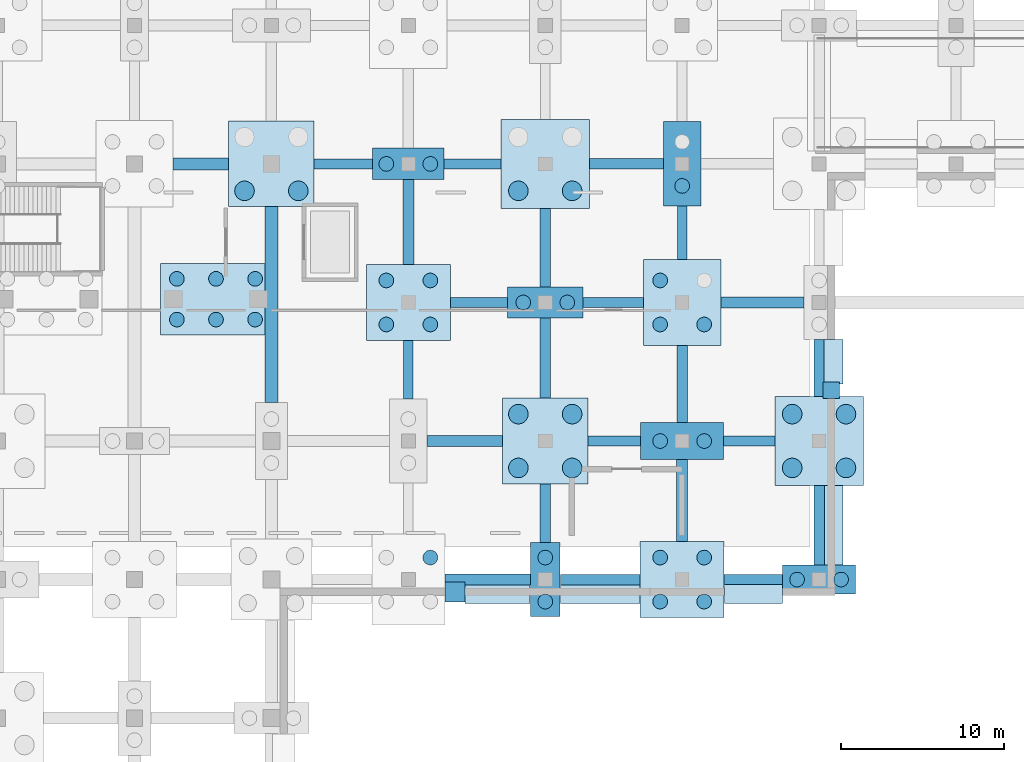
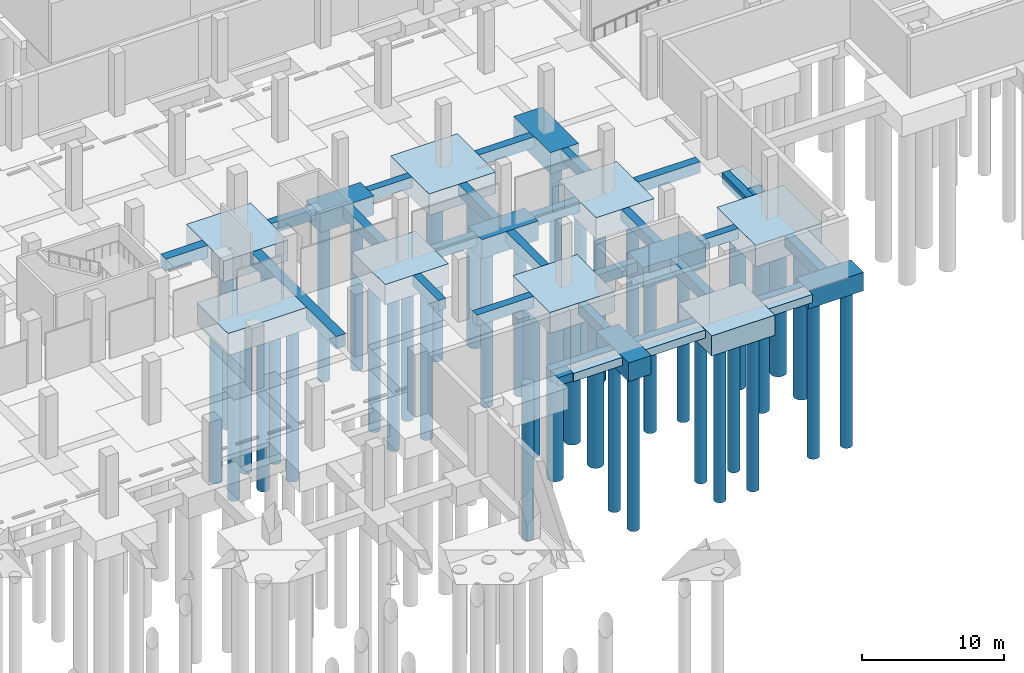
# One storey, part 15 of 34: 45 footings, 41 piles.
"""IFC4 building model written with IfcOpenShell, lengths in metres."""

import ifcopenshell
import ifcopenshell.guid

model = None  # the IFC model being written
_history = None  # IfcOwnerHistory: only IFC2X3 demands one
_inside = {}  # id of a spatial element -> (the spatial element, [elements in it])
_under = {}  # id of a project, library or spatial element -> (it, [spatial elements below it])
_declared = {}  # id of a project -> (the project, [libraries it declares])
_typed = {}  # id of a type object -> (the type object, [elements of that type])
_made_of = {}  # id of a material, layer set ... -> (it, [elements and type objects made of it])


def new_model(schema):
    """Start an empty IFC model of exactly this schema.

    Asked for "IFC4X3", IfcOpenShell would pick the latest addendum, in which some entities
    have other attributes; the version numbers below select the first issue.
    IFC2X3 requires an IfcOwnerHistory on every rooted entity: one is made here for all.
    """
    global model, _history
    if schema == "IFC4X3":
        model = ifcopenshell.file(schema_version=(4, 3, 0, 0))
    else:
        model = ifcopenshell.file(schema=schema)
    _inside.clear()
    _under.clear()
    _declared.clear()
    _typed.clear()
    _made_of.clear()
    _history = None
    if model.schema == "IFC2X3":
        org = make("IfcOrganization", Name="unknown")
        user = make(
            "IfcPersonAndOrganization",
            ThePerson=make("IfcPerson", FamilyName="unknown"),
            TheOrganization=org,
        )
        app = make(
            "IfcApplication",
            ApplicationDeveloper=org,
            Version="unknown",
            ApplicationFullName="unknown",
            ApplicationIdentifier="unknown",
        )
        _history = make(
            "IfcOwnerHistory",
            OwningUser=user,
            OwningApplication=app,
            ChangeAction="ADDED",
            CreationDate=0,
        )
    return model


def make(cls, **values):
    """One entity of the class cls with the attributes given. An attribute that is None is left unset."""
    return model.create_entity(
        cls, **{name: value for name, value in values.items() if value is not None}
    )


def rooted(cls, **values):
    """An entity with a GlobalId (a new one), such as an element, a storey or a relation."""
    return make(cls, GlobalId=ifcopenshell.guid.new(), OwnerHistory=_history, **values)


def si_unit(unit_type, name, prefix=None):
    """IfcSIUnit, for example si_unit("LENGTHUNIT", "METRE", prefix="MILLI")."""
    return make("IfcSIUnit", UnitType=unit_type, Prefix=prefix, Name=name)


def assignment(units):
    """IfcUnitAssignment: the units of a project."""
    return None if units is None else make("IfcUnitAssignment", Units=units)


def point(xyz):
    """IfcCartesianPoint."""
    return None if xyz is None else make("IfcCartesianPoint", Coordinates=xyz)


def direction(xyz):
    """IfcDirection."""
    return None if xyz is None else make("IfcDirection", DirectionRatios=xyz)


def frame(location, z_axis=None, x_axis=None):
    """IfcAxis2Placement3D, a coordinate frame: its origin and axes. An axis left out is left unset."""
    return make(
        "IfcAxis2Placement3D",
        Location=point(location),
        Axis=direction(z_axis),
        RefDirection=direction(x_axis),
    )


def frame_2d(location, x_axis=None):
    """IfcAxis2Placement2D, a coordinate frame in the plane: its origin and x axis."""
    return make(
        "IfcAxis2Placement2D", Location=point(location), RefDirection=direction(x_axis)
    )


def origin():
    """The frame at (0, 0, 0) with its axes left unset."""
    return frame((0.0, 0.0, 0.0))


def origin_2d():
    """The frame at (0, 0) in the plane with its x axis left unset."""
    return frame_2d((0.0, 0.0))


def place(relative_to, where):
    """IfcLocalPlacement: puts the frame where relative to a parent placement (None: the world)."""
    return make(
        "IfcLocalPlacement", PlacementRelTo=relative_to, RelativePlacement=where
    )


def context(
    kind, dimensions, precision=None, world=None, true_north=None, identifier=None
):
    """IfcGeometricRepresentationContext, for example the 3D "Model" context."""
    return make(
        "IfcGeometricRepresentationContext",
        ContextIdentifier=identifier,
        ContextType=kind,
        CoordinateSpaceDimension=dimensions,
        Precision=precision,
        WorldCoordinateSystem=world,
        TrueNorth=true_north,
    )


def subcontext(parent, identifier, kind, view, scale=None):
    """IfcGeometricRepresentationSubContext, for example "Body" below "Model"."""
    return make(
        "IfcGeometricRepresentationSubContext",
        ContextIdentifier=identifier,
        ContextType=kind,
        ParentContext=parent,
        TargetScale=scale,
        TargetView=view,
    )


def project(units=None, contexts=None):
    """IfcProject with its units and contexts."""
    return rooted(
        "IfcProject",
        Name="project",
        RepresentationContexts=contexts,
        UnitsInContext=assignment(units),
    )


def spatial(cls, under=None, at=None, **own):
    """A site, building, storey or space (cls), placed at a placement, below another one or the project."""
    s = rooted(cls, ObjectPlacement=at, **own)
    if under is not None:
        _under.setdefault(under.id(), (under, []))[1].append(s)
    return s


def profile(cls, at=None, kind="AREA", **sizes):
    """A parametric profile (cls). Its sizes go by their IFC names, for example OverallWidth=200.0."""
    return make(cls, ProfileType=kind, Position=at, **sizes)


def rectangle(**sizes):
    """IfcRectangleProfileDef."""
    return profile("IfcRectangleProfileDef", **sizes)


def circle(**sizes):
    """IfcCircleProfileDef."""
    return profile("IfcCircleProfileDef", **sizes)


def extrude(swept, where, along, depth):
    """IfcExtrudedAreaSolid: the profile swept, set in the frame where, extruded along a direction by depth."""
    return make(
        "IfcExtrudedAreaSolid",
        SweptArea=swept,
        Position=where,
        ExtrudedDirection=direction(along),
        Depth=depth,
    )


def shape(context_of_items, identifier, shape_type, items):
    """IfcShapeRepresentation: the items that make up one representation, for example the "Body"."""
    return make(
        "IfcShapeRepresentation",
        ContextOfItems=context_of_items,
        RepresentationIdentifier=identifier,
        RepresentationType=shape_type,
        Items=items,
    )


def material(Name=None, Category=None):
    """IfcMaterial."""
    return make("IfcMaterial", Name=Name, Category=Category)


def material_profile(
    of_material, cross_section, Name=None, Category=None, Priority=None
):
    """IfcMaterialProfile: a cross section and its material."""
    return make(
        "IfcMaterialProfile",
        Name=Name,
        Material=of_material,
        Profile=cross_section,
        Priority=Priority,
        Category=Category,
    )


def profile_set(profiles, Name=None, composite=None):
    """IfcMaterialProfileSet."""
    return make(
        "IfcMaterialProfileSet",
        Name=Name,
        MaterialProfiles=profiles,
        CompositeProfile=composite,
    )


def made_of(thing, what):
    """Note that an element or type object is made of a material, layer set ...; save() writes the relation."""
    if what is not None:
        _made_of.setdefault(what.id(), (what, []))[1].append(thing)
    return thing


def type_object(cls, material=None, **own):
    """A type object (cls), such as IfcWallType, which elements share."""
    return made_of(rooted(cls, **own), material)


def element(
    cls,
    number,
    at=None,
    inside=None,
    cuts=None,
    type_object=None,
    material=None,
    context=None,
    identifier="Body",
    shape_type=None,
    held_by="IfcProductDefinitionShape",
    body=None,
    shapes=None,
    **own,
):
    """One element of the class cls, such as IfcWall. Its Tag is "e" and its number.

    at: its placement. inside: the storey or other place that contains it. cuts: it is an
    opening in that element (IfcRelVoidsElement). A single representation is given by context,
    identifier, shape_type and body (its items); several are given by shapes. held_by: the class
    of the entity that holds the representations. save() writes the other relations.
    """
    e = rooted(cls, Tag="e%d" % number, ObjectPlacement=at, **own)
    if body is not None:
        shapes = [shape(context, identifier, shape_type, body)]
    if shapes is not None:
        e.Representation = make(held_by, Representations=shapes)
    if inside is not None:
        _inside.setdefault(inside.id(), (inside, []))[1].append(e)
    if cuts is not None:
        rooted(
            "IfcRelVoidsElement", RelatingBuildingElement=cuts, RelatedOpeningElement=e
        )
    if type_object is not None:
        _typed.setdefault(type_object.id(), (type_object, []))[1].append(e)
    return made_of(e, material)


def aggregate(whole, parts):
    """IfcRelAggregates: a whole, such as a stair, and the parts it consists of."""
    return rooted("IfcRelAggregates", RelatingObject=whole, RelatedObjects=parts)


def save(model, path):
    """Write the relations noted so far, then the file.

    IfcRelAggregates (storeys below a building ...), IfcRelContainedInSpatialStructure (elements
    in a storey), IfcRelDefinesByType, IfcRelAssociatesMaterial and IfcRelDeclares: one each for
    every whole, place, type object, material and project.
    """
    for whole, parts in _under.values():
        aggregate(whole, parts)
    for where, things in _inside.values():
        rooted(
            "IfcRelContainedInSpatialStructure",
            RelatedElements=things,
            RelatingStructure=where,
        )
    for kind, things in _typed.values():
        rooted("IfcRelDefinesByType", RelatedObjects=things, RelatingType=kind)
    for what, things in _made_of.values():
        rooted("IfcRelAssociatesMaterial", RelatedObjects=things, RelatingMaterial=what)
    for by, libraries in _declared.values():
        rooted("IfcRelDeclares", RelatingContext=by, RelatedDefinitions=libraries)
    model.write(path)


model = new_model("IFC4")

# Units and contexts
model_context = context("Model", 3, precision=1e-05, world=origin(), true_north=direction((0.0, 1.0)))
body_context = subcontext(model_context, "Body", "Model", "MODEL_VIEW")
ifc_project = project(units=[si_unit("LENGTHUNIT", "METRE"), si_unit("AREAUNIT", "SQUARE_METRE"), si_unit("VOLUMEUNIT", "CUBIC_METRE"), si_unit("PLANEANGLEUNIT", "RADIAN"), si_unit("MASSUNIT", "GRAM", prefix="KILO")], contexts=[model_context])

# Site, building, storey
site_placement = place(None, origin())
site = spatial("IfcSite", under=ifc_project, at=site_placement, CompositionType="ELEMENT")
building_placement = place(site_placement, origin())
building = spatial("IfcBuilding", under=site, at=building_placement, Name="Solvento Point Concert Hall", CompositionType="ELEMENT")
storey_placement = place(building_placement, frame((0.0, 0.0, -5.39990234375)))
storey = spatial("IfcBuildingStorey", under=building, at=storey_placement, Name="B01", CompositionType="ELEMENT", Elevation=-5.39990234375)

# Piles
ifc_material_1 = material(Name="Concrete C40/50", Category="concrete")
ifc_material_profile_1 = material_profile(ifc_material_1, circle(Radius=0.60009765625, at=origin_2d()), Name="BP-1200")
ifc_profile_set_1 = profile_set([ifc_material_profile_1], Name="Concrete C40/50")
pile_type_1 = type_object("IfcPileType", Name="BoredPile_1200", PredefinedType="BORED", material=ifc_profile_set_1)
for number, where, z_axis, x_axis, name in (
    (1, (131.550048828125, 91.85009765625, -1.7001953125), (0.0, 0.0, -1.0), (1.0, 0.0, 0.0), "Bored pile BoredPile_1200 #457"),
    (2, (134.85009765625, 91.85009765625, -1.7001953125), (0.0, 0.0, -1.0), (1.0, 0.0, 0.0), "Bored pile BoredPile_1200 #458"),
    (3, (148.35009765625, 74.85009765625, -1.7001953125), (0.0, 0.0, -1.0), (1.0, 0.0, 0.0), "Bored pile BoredPile_1200 #529"),
    (4, (151.64990234375, 74.85009765625, -1.7001953125), (0.0, 0.0, -1.0), (1.0, 0.0, 0.0), "Bored pile BoredPile_1200 #530"),
    (5, (148.35009765625, 78.14990234375, -1.7001953125), (0.0, 0.0, -1.0), (1.0, 0.0, 0.0), "Bored pile BoredPile_1200 #531"),
    (6, (151.64990234375, 78.14990234375, -1.7001953125), (0.0, 0.0, -1.0), (1.0, 0.0, 0.0), "Bored pile BoredPile_1200 #532"),
):
    element("IfcPile", number, at=place(storey_placement, frame(where, z_axis=z_axis, x_axis=x_axis)), inside=storey, type_object=pile_type_1, Name=name, PredefinedType="BORED", context=body_context, shape_type="SweptSolid", body=[
        extrude(circle(Radius=0.60009765625, at=origin_2d()), origin(), (0.0, 0.0, 1.0), 13.39990234375),
    ])
for number, where, z_axis, x_axis, name in (
    (7, (148.35009765625, 91.85009765625, -1.75), (0.0, 0.0, -1.0), (1.0, 0.0, 0.0), "Bored pile BoredPile_1200 #535"),
    (8, (151.64990234375, 91.85009765625, -1.75), (0.0, 0.0, -1.0), (1.0, 0.0, 0.0), "Bored pile BoredPile_1200 #536"),
    (9, (165.14990234375, 74.85009765625, -1.75), (0.0, 0.0, -1.0), (1.0, 0.0, 0.0), "Bored pile BoredPile_1200 #607"),
    (10, (168.449951171875, 74.85009765625, -1.75), (0.0, 0.0, -1.0), (1.0, 0.0, 0.0), "Bored pile BoredPile_1200 #608"),
    (11, (165.14990234375, 78.14990234375, -1.75), (0.0, 0.0, -1.0), (1.0, 0.0, 0.0), "Bored pile BoredPile_1200 #609"),
    (12, (168.449951171875, 78.14990234375, -1.75), (0.0, 0.0, -1.0), (1.0, 0.0, 0.0), "Bored pile BoredPile_1200 #610"),
):
    element("IfcPile", number, at=place(storey_placement, frame(where, z_axis=z_axis, x_axis=x_axis)), inside=storey, type_object=pile_type_1, Name=name, PredefinedType="BORED", context=body_context, shape_type="SweptSolid", body=[
        extrude(circle(Radius=0.60009765625, at=origin_2d()), origin(), (0.0, 0.0, 1.0), 13.35009765625),
    ])
ifc_material_2 = material(Name="Concrete C40/50", Category="concrete")
ifc_material_profile_2 = material_profile(ifc_material_2, circle(Radius=0.449951171875, at=origin_2d()), Name="BP-900")
ifc_profile_set_2 = profile_set([ifc_material_profile_2], Name="Concrete C40/50")
pile_type_2 = type_object("IfcPileType", Name="BoredPile_900", PredefinedType="BORED", material=ifc_profile_set_2)
pile_1_placement = place(storey_placement, frame((142.949951171875, 69.35009765625, -1.72021484375), z_axis=(0.0, 0.0, -1.0), x_axis=(1.0, 0.0, 0.0)))
element("IfcPile", 13, at=pile_1_placement, inside=storey, type_object=pile_type_2, Name="Bored pile BoredPile_900 #490", PredefinedType="BORED", context=body_context, shape_type="SweptSolid", body=[
    extrude(circle(Radius=0.449951171875, at=origin_2d()), origin(), (0.0, 0.0, 1.0), 13.3798828125),
])
for number, where, z_axis, x_axis, name in (
    (14, (140.25, 83.64990234375, -1.64013671875), (0.0, 0.0, -1.0), (1.0, 0.0, 0.0), "Bored pile BoredPile_900 #493"),
    (15, (142.949951171875, 83.64990234375, -1.64013671875), (0.0, 0.0, -1.0), (1.0, 0.0, 0.0), "Bored pile BoredPile_900 #494"),
    (16, (140.25, 86.35009765625, -1.64013671875), (0.0, 0.0, -1.0), (1.0, 0.0, 0.0), "Bored pile BoredPile_900 #495"),
    (17, (142.949951171875, 86.35009765625, -1.64013671875), (0.0, 0.0, -1.0), (1.0, 0.0, 0.0), "Bored pile BoredPile_900 #496"),
):
    element("IfcPile", number, at=place(storey_placement, frame(where, z_axis=z_axis, x_axis=x_axis)), inside=storey, type_object=pile_type_2, Name=name, PredefinedType="BORED", context=body_context, shape_type="SweptSolid", body=[
        extrude(circle(Radius=0.449951171875, at=origin_2d()), origin(), (0.0, 0.0, 1.0), 13.4599609375),
    ])
for number, where, z_axis, x_axis, name in (
    (18, (140.25, 93.5, -1.5400390625), (0.0, 0.0, -1.0), (1.0, 0.0, 0.0), "Bored pile BoredPile_900 #497"),
    (19, (142.949951171875, 93.5, -1.5400390625), (0.0, 0.0, -1.0), (1.0, 0.0, 0.0), "Bored pile BoredPile_900 #498"),
):
    element("IfcPile", number, at=place(storey_placement, frame(where, z_axis=z_axis, x_axis=x_axis)), inside=storey, type_object=pile_type_2, Name=name, PredefinedType="BORED", context=body_context, shape_type="SweptSolid", body=[
        extrude(circle(Radius=0.449951171875, at=origin_2d()), origin(), (0.0, 0.0, 1.0), 13.56005859375),
    ])
for number, where, z_axis, x_axis, name in (
    (20, (150.0, 66.64990234375, -1.52001953125), (0.0, 0.0, -1.0), (1.0, 0.0, 0.0), "Bored pile BoredPile_900 #527"),
    (21, (150.0, 69.35009765625, -1.52001953125), (0.0, 0.0, -1.0), (1.0, 0.0, 0.0), "Bored pile BoredPile_900 #528"),
):
    element("IfcPile", number, at=place(storey_placement, frame(where, z_axis=z_axis, x_axis=x_axis)), inside=storey, type_object=pile_type_2, Name=name, PredefinedType="BORED", context=body_context, shape_type="SweptSolid", body=[
        extrude(circle(Radius=0.449951171875, at=origin_2d()), origin(), (0.0, 0.0, 1.0), 13.580078125),
    ])
for number, where, z_axis, x_axis, name in (
    (22, (148.64990234375, 85.0, -1.550048828125), (0.0, 0.0, -1.0), (1.0, 0.0, 0.0), "Bored pile BoredPile_900 #533"),
    (23, (151.35009765625, 85.0, -1.550048828125), (0.0, 0.0, -1.0), (1.0, 0.0, 0.0), "Bored pile BoredPile_900 #534"),
):
    element("IfcPile", number, at=place(storey_placement, frame(where, z_axis=z_axis, x_axis=x_axis)), inside=storey, type_object=pile_type_2, Name=name, PredefinedType="BORED", context=body_context, shape_type="SweptSolid", body=[
        extrude(circle(Radius=0.449951171875, at=origin_2d()), origin(), (0.0, 0.0, 1.0), 13.550048828125),
    ])
for number, where, z_axis, x_axis, name in (
    (24, (157.050048828125, 66.64990234375, -1.64013671875), (0.0, 0.0, -1.0), (1.0, 0.0, 0.0), "Bored pile BoredPile_900 #565"),
    (25, (159.75, 66.64990234375, -1.64013671875), (0.0, 0.0, -1.0), (1.0, 0.0, 0.0), "Bored pile BoredPile_900 #566"),
    (26, (157.050048828125, 69.35009765625, -1.64013671875), (0.0, 0.0, -1.0), (1.0, 0.0, 0.0), "Bored pile BoredPile_900 #567"),
    (27, (159.75, 69.35009765625, -1.64013671875), (0.0, 0.0, -1.0), (1.0, 0.0, 0.0), "Bored pile BoredPile_900 #568"),
):
    element("IfcPile", number, at=place(storey_placement, frame(where, z_axis=z_axis, x_axis=x_axis)), inside=storey, type_object=pile_type_2, Name=name, PredefinedType="BORED", context=body_context, shape_type="SweptSolid", body=[
        extrude(circle(Radius=0.449951171875, at=origin_2d()), origin(), (0.0, 0.0, 1.0), 13.4599609375),
    ])
for number, where, z_axis, x_axis, name in (
    (28, (157.050048828125, 76.5, -1.7001953125), (0.0, 0.0, -1.0), (1.0, 0.0, 0.0), "Bored pile BoredPile_900 #569"),
    (29, (159.75, 76.5, -1.7001953125), (0.0, 0.0, -1.0), (1.0, 0.0, 0.0), "Bored pile BoredPile_900 #570"),
):
    element("IfcPile", number, at=place(storey_placement, frame(where, z_axis=z_axis, x_axis=x_axis)), inside=storey, type_object=pile_type_2, Name=name, PredefinedType="BORED", context=body_context, shape_type="SweptSolid", body=[
        extrude(circle(Radius=0.449951171875, at=origin_2d()), origin(), (0.0, 0.0, 1.0), 13.39990234375),
    ])
for number, where, z_axis, x_axis, name in (
    (30, (157.050048828125, 83.64990234375, -1.760009765625), (0.0, 0.0, -1.0), (1.0, 0.0, 0.0), "Bored pile BoredPile_900 #571"),
    (31, (159.75, 83.64990234375, -1.760009765625), (0.0, 0.0, -1.0), (1.0, 0.0, 0.0), "Bored pile BoredPile_900 #572"),
    (32, (157.050048828125, 86.35009765625, -1.760009765625), (0.0, 0.0, -1.0), (1.0, 0.0, 0.0), "Bored pile BoredPile_900 #573"),
):
    element("IfcPile", number, at=place(storey_placement, frame(where, z_axis=z_axis, x_axis=x_axis)), inside=storey, type_object=pile_type_2, Name=name, PredefinedType="BORED", context=body_context, shape_type="SweptSolid", body=[
        extrude(circle(Radius=0.449951171875, at=origin_2d()), origin(), (0.0, 0.0, 1.0), 13.340087890625),
    ])
pile_2_placement = place(storey_placement, frame((158.39990234375, 92.14990234375, -1.739990234375), z_axis=(0.0, 0.0, -1.0), x_axis=(1.0, 0.0, 0.0)))
element("IfcPile", 33, at=pile_2_placement, inside=storey, type_object=pile_type_2, Name="Bored pile BoredPile_900 #575", PredefinedType="BORED", context=body_context, shape_type="SweptSolid", body=[
    extrude(circle(Radius=0.449951171875, at=origin_2d()), origin(), (0.0, 0.0, 1.0), 13.360107421875),
])
for number, where, z_axis, x_axis, name in (
    (34, (165.449951171875, 68.0, -1.5), (0.0, 0.0, -1.0), (1.0, 0.0, 0.0), "Bored pile BoredPile_900 #605"),
    (35, (168.14990234375, 68.0, -1.5), (0.0, 0.0, -1.0), (1.0, 0.0, 0.0), "Bored pile BoredPile_900 #606"),
):
    element("IfcPile", number, at=place(storey_placement, frame(where, z_axis=z_axis, x_axis=x_axis)), inside=storey, type_object=pile_type_2, Name=name, PredefinedType="BORED", context=body_context, shape_type="SweptSolid", body=[
        extrude(circle(Radius=0.449951171875, at=origin_2d()), origin(), (0.0, 0.0, 1.0), 13.60009765625),
    ])
for number, where, z_axis, x_axis, name in (
    (36, (127.39990234375, 83.949951171875, -1.800048828125), (0.0, 0.0, -1.0), (1.0, 0.0, 0.0), "Bored pile BoredPile_900 #881"),
    (37, (129.800048828125, 83.949951171875, -1.800048828125), (0.0, 0.0, -1.0), (1.0, 0.0, 0.0), "Bored pile BoredPile_900 #882"),
    (38, (132.199951171875, 83.949951171875, -1.800048828125), (0.0, 0.0, -1.0), (1.0, 0.0, 0.0), "Bored pile BoredPile_900 #883"),
    (39, (127.39990234375, 86.449951171875, -1.800048828125), (0.0, 0.0, -1.0), (1.0, 0.0, 0.0), "Bored pile BoredPile_900 #884"),
    (40, (129.800048828125, 86.449951171875, -1.800048828125), (0.0, 0.0, -1.0), (1.0, 0.0, 0.0), "Bored pile BoredPile_900 #885"),
    (41, (132.199951171875, 86.449951171875, -1.800048828125), (0.0, 0.0, -1.0), (1.0, 0.0, 0.0), "Bored pile BoredPile_900 #886"),
):
    element("IfcPile", number, at=place(storey_placement, frame(where, z_axis=z_axis, x_axis=x_axis)), inside=storey, type_object=pile_type_2, Name=name, PredefinedType="BORED", context=body_context, shape_type="SweptSolid", body=[
        extrude(circle(Radius=0.449951171875, at=origin_2d()), origin(), (0.0, 0.0, 1.0), 13.300048828125),
    ])

# Footings
ifc_material_3 = material(Name="Concrete C40/50", Category="concrete")
footing_type_1 = type_object("IfcFootingType", Name="PileCap_2C", PredefinedType="PILE_CAP", material=ifc_material_3)
footing_1_placement = place(storey_placement, frame((166.800048828125, 68.0, -1.60009765625), z_axis=(0.0, 0.0, 1.0), x_axis=(1.0, 0.0, 0.0)))
element("IfcFooting", 42, at=footing_1_placement, inside=storey, type_object=footing_type_1, Name="Pile cap PC-2C at G-21-J", PredefinedType="PILE_CAP", context=body_context, shape_type="SweptSolid", body=[
    extrude(rectangle(XDim=4.4599609375, YDim=1.780029296875, at=origin_2d()), origin(), (0.0, 0.0, 1.0), 1.60009765625),
])
ifc_material_4 = material(Name="Concrete C40/50", Category="concrete")
footing_type_2 = type_object("IfcFootingType", Name="PileCap_2D", PredefinedType="PILE_CAP", material=ifc_material_4)
footing_2_placement = place(storey_placement, frame((150.0, 68.0, -1.6201171875), z_axis=(0.0, 0.0, 1.0), x_axis=(1.0, 0.0, 0.0)))
element("IfcFooting", 43, at=footing_2_placement, inside=storey, type_object=footing_type_2, Name="Pile cap PC-2D at G-19-J", PredefinedType="PILE_CAP", context=body_context, shape_type="SweptSolid", body=[
    extrude(rectangle(XDim=1.840087890625, YDim=4.5400390625, at=origin_2d()), origin(), (0.0, 0.0, 1.0), 1.6201171875),
])
ifc_material_5 = material(Name="Concrete C40/50", Category="concrete")
footing_type_3 = type_object("IfcFootingType", Name="PileCap_2E", PredefinedType="PILE_CAP", material=ifc_material_5)
footing_3_placement = place(storey_placement, frame((150.0, 85.0, -1.650146484375), z_axis=(0.0, 0.0, 1.0), x_axis=(1.0, 0.0, 0.0)))
element("IfcFooting", 44, at=footing_3_placement, inside=storey, type_object=footing_type_3, Name="Pile cap PC-2E at G-19-L", PredefinedType="PILE_CAP", context=body_context, shape_type="SweptSolid", body=[
    extrude(rectangle(XDim=4.6201171875, YDim=1.89990234375, at=origin_2d()), origin(), (0.0, 0.0, 1.0), 1.64990234375),
])
ifc_material_6 = material(Name="Concrete C40/50", Category="concrete")
footing_type_4 = type_object("IfcFootingType", Name="PileCap_2L", PredefinedType="PILE_CAP", material=ifc_material_6)
footing_4_placement = place(storey_placement, frame((158.39990234375, 76.5, -1.80029296875), z_axis=(0.0, 0.0, 1.0), x_axis=(1.0, 0.0, 0.0)))
element("IfcFooting", 45, at=footing_4_placement, inside=storey, type_object=footing_type_4, Name="Pile cap PC-2L at G-20-K", PredefinedType="PILE_CAP", context=body_context, shape_type="SweptSolid", body=[
    extrude(rectangle(XDim=5.10009765625, YDim=2.260009765625, at=origin_2d()), origin(), (0.0, 0.0, 1.0), 1.800048828125),
])
ifc_material_7 = material(Name="Concrete C40/50", Category="concrete")
footing_type_5 = type_object("IfcFootingType", Name="PileCap_2M", PredefinedType="PILE_CAP", material=ifc_material_7)
footing_5_placement = place(storey_placement, frame((158.39990234375, 93.5, -1.84033203125), z_axis=(0.0, 0.0, 1.0), x_axis=(1.0, 0.0, 0.0)))
element("IfcFooting", 46, at=footing_5_placement, inside=storey, type_object=footing_type_5, Name="Pile cap PC-2M at G-20-M", PredefinedType="PILE_CAP", context=body_context, shape_type="SweptSolid", body=[
    extrude(rectangle(XDim=2.320068359375, YDim=5.179931640625, at=origin_2d()), origin(), (0.0, 0.0, 1.0), 1.840087890625),
])
ifc_material_8 = material(Name="Concrete C40/50", Category="concrete")
footing_type_6 = type_object("IfcFootingType", Name="PileCap_2N", PredefinedType="PILE_CAP", material=ifc_material_8)
footing_6_placement = place(storey_placement, frame((141.60009765625, 93.5, -1.64013671875), z_axis=(0.0, 0.0, 1.0), x_axis=(1.0, 0.0, 0.0)))
element("IfcFooting", 47, at=footing_6_placement, inside=storey, type_object=footing_type_6, Name="Pile cap PC-2N at G-18-M", PredefinedType="PILE_CAP", context=body_context, shape_type="SweptSolid", body=[
    extrude(rectangle(XDim=4.39990234375, YDim=1.93994140625, at=origin_2d()), origin(), (0.0, 0.0, 1.0), 1.639892578125),
])
ifc_material_9 = material(Name="Concrete C40/50", Category="concrete")
footing_type_7 = type_object("IfcFootingType", Name="PileCap_4E", PredefinedType="PILE_CAP", material=ifc_material_9)
for number, where, z_axis, x_axis, name in (
    (48, (133.199951171875, 93.5, -1.80029296875), (0.0, 0.0, 1.0), (1.0, 0.0, 0.0), "Pile cap PC-4E at G-17-M"),
    (49, (150.0, 76.5, -1.80029296875), (0.0, 0.0, 1.0), (1.0, 0.0, 0.0), "Pile cap PC-4E at G-19-K"),
):
    element("IfcFooting", number, at=place(storey_placement, frame(where, z_axis=z_axis, x_axis=x_axis)), inside=storey, type_object=footing_type_7, Name=name, PredefinedType="PILE_CAP", context=body_context, shape_type="SweptSolid", body=[
        extrude(rectangle(XDim=5.25, YDim=5.25, at=origin_2d()), origin(), (0.0, 0.0, 1.0), 1.800048828125),
    ])
ifc_material_10 = material(Name="Concrete C40/50", Category="concrete")
footing_type_8 = type_object("IfcFootingType", Name="PileCap_4F", PredefinedType="PILE_CAP", material=ifc_material_10)
for number, where, z_axis, x_axis, name in (
    (50, (150.0, 93.5, -1.85009765625), (0.0, 0.0, 1.0), (1.0, 0.0, 0.0), "Pile cap PC-4F at G-19-M"),
    (51, (166.800048828125, 76.5, -1.85009765625), (0.0, 0.0, 1.0), (1.0, 0.0, 0.0), "Pile cap PC-4F at G-21-K"),
):
    element("IfcFooting", number, at=place(storey_placement, frame(where, z_axis=z_axis, x_axis=x_axis)), inside=storey, type_object=footing_type_8, Name=name, PredefinedType="PILE_CAP", context=body_context, shape_type="SweptSolid", body=[
        extrude(rectangle(XDim=5.43994140625, YDim=5.43994140625, at=origin_2d()), origin(), (0.0, 0.0, 1.0), 1.85009765625),
    ])
ifc_material_11 = material(Name="Concrete C40/50", Category="concrete")
footing_type_9 = type_object("IfcFootingType", Name="PileCap_4L", PredefinedType="PILE_CAP", material=ifc_material_11)
for number, where, z_axis, x_axis, name in (
    (52, (141.60009765625, 85.0, -1.740234375), (0.0, 0.0, 1.0), (1.0, 0.0, 0.0), "Pile cap PC-4L at G-18-L"),
    (53, (158.39990234375, 68.0, -1.740234375), (0.0, 0.0, 1.0), (1.0, 0.0, 0.0), "Pile cap PC-4L at G-20-J"),
):
    element("IfcFooting", number, at=place(storey_placement, frame(where, z_axis=z_axis, x_axis=x_axis)), inside=storey, type_object=footing_type_9, Name=name, PredefinedType="PILE_CAP", context=body_context, shape_type="SweptSolid", body=[
        extrude(rectangle(XDim=5.159912109375, YDim=4.659912109375, at=origin_2d()), origin(), (0.0, 0.0, 1.0), 1.739990234375),
    ])
ifc_material_12 = material(Name="Concrete C40/50", Category="concrete")
footing_type_10 = type_object("IfcFootingType", Name="PileCap_4M", PredefinedType="PILE_CAP", material=ifc_material_12)
footing_7_placement = place(storey_placement, frame((158.39990234375, 85.0, -1.8603515625), z_axis=(0.0, 0.0, 1.0), x_axis=(1.0, 0.0, 0.0)))
element("IfcFooting", 54, at=footing_7_placement, inside=storey, type_object=footing_type_10, Name="Pile cap PC-4M at G-20-L", PredefinedType="PILE_CAP", context=body_context, shape_type="SweptSolid", body=[
    extrude(rectangle(XDim=4.739990234375, YDim=5.300048828125, at=origin_2d()), origin(), (0.0, 0.0, 1.0), 1.860107421875),
])
ifc_material_13 = material(Name="Concrete C40/50", Category="concrete")
footing_type_11 = type_object("IfcFootingType", Name="PileCap_6A", PredefinedType="PILE_CAP", material=ifc_material_13)
footing_8_placement = place(storey_placement, frame((129.800048828125, 85.199951171875, -1.900146484375), z_axis=(0.0, 0.0, 1.0), x_axis=(1.0, 0.0, 0.0)))
element("IfcFooting", 55, at=footing_8_placement, inside=storey, type_object=footing_type_11, Name="Pile cap PC-6A at D-DN11", PredefinedType="PILE_CAP", context=body_context, shape_type="SweptSolid", body=[
    extrude(rectangle(XDim=6.800048828125, YDim=4.39990234375, at=origin_2d()), origin(), (0.0, 0.0, 1.0), 1.89990234375),
])
ifc_material_14 = material(Name="Concrete C40/50", Category="concrete")
footing_type_12 = type_object("IfcFootingType", Name="StripFooting_1400x700", PredefinedType="STRIP_FOOTING", material=ifc_material_14)
footing_9_placement = place(storey_placement, frame((167.554931640625, 81.357421875, -0.7001953125), z_axis=(0.0, 0.0, 1.0), x_axis=(0.0, -1.0, 0.0)))
element("IfcFooting", 56, at=footing_9_placement, inside=storey, type_object=footing_type_12, Name="Strip footing SF-02", PredefinedType="STRIP_FOOTING", context=body_context, shape_type="SweptSolid", body=[
    extrude(rectangle(XDim=2.72509765625, YDim=1.39990234375, at=origin_2d()), origin(), (0.0, 0.0, 1.0), 0.699951171875),
])
footing_10_placement = place(storey_placement, frame((167.554931640625, 79.607421875, -0.7001953125), z_axis=(0.0, 0.0, 1.0), x_axis=(0.0, -1.0, 0.0)))
element("IfcFooting", 57, at=footing_10_placement, inside=storey, type_object=footing_type_12, Name="Strip footing SF-02", PredefinedType="STRIP_FOOTING", context=body_context, shape_type="SweptSolid", body=[
    extrude(rectangle(XDim=1.0, YDim=1.0, at=origin_2d()), origin(), (0.0, 0.0, 1.0), 0.699951171875),
])
footing_11_placement = place(storey_placement, frame((167.554931640625, 71.3349609375, -0.7001953125), z_axis=(0.0, 0.0, 1.0), x_axis=(0.0, -1.0, 0.0)))
element("IfcFooting", 58, at=footing_11_placement, inside=storey, type_object=footing_type_12, Name="Strip footing SF-02", PredefinedType="STRIP_FOOTING", context=body_context, shape_type="SweptSolid", body=[
    extrude(rectangle(XDim=4.8701171875, YDim=1.39990234375, at=origin_2d()), origin(), (0.0, 0.0, 1.0), 0.699951171875),
])
footing_12_placement = place(storey_placement, frame((162.77490234375, 67.2451171875, -0.7001953125), z_axis=(0.0, 0.0, 1.0), x_axis=(-1.0, 0.0, 0.0)))
element("IfcFooting", 59, at=footing_12_placement, inside=storey, type_object=footing_type_12, Name="Strip footing SF-02", PredefinedType="STRIP_FOOTING", context=body_context, shape_type="SweptSolid", body=[
    extrude(rectangle(XDim=3.570068359375, YDim=1.39990234375, at=origin_2d()), origin(), (0.0, 0.0, 1.0), 0.699951171875),
])
footing_13_placement = place(storey_placement, frame((153.3701171875, 67.2451171875, -0.7001953125), z_axis=(0.0, 0.0, 1.0), x_axis=(-1.0, 0.0, 0.0)))
element("IfcFooting", 60, at=footing_13_placement, inside=storey, type_object=footing_type_12, Name="Strip footing SF-02", PredefinedType="STRIP_FOOTING", context=body_context, shape_type="SweptSolid", body=[
    extrude(rectangle(XDim=4.8798828125, YDim=1.39990234375, at=origin_2d()), origin(), (0.0, 0.0, 1.0), 0.699951171875),
])
footing_14_placement = place(storey_placement, frame((147.074951171875, 67.2451171875, -0.7001953125), z_axis=(0.0, 0.0, 1.0), x_axis=(-1.0, 0.0, 0.0)))
element("IfcFooting", 61, at=footing_14_placement, inside=storey, type_object=footing_type_12, Name="Strip footing SF-02", PredefinedType="STRIP_FOOTING", context=body_context, shape_type="SweptSolid", body=[
    extrude(rectangle(XDim=3.989990234375, YDim=1.39990234375, at=origin_2d()), origin(), (0.0, 0.0, 1.0), 0.699951171875),
])
footing_15_placement = place(storey_placement, frame((144.4599609375, 67.2451171875, -0.7001953125), z_axis=(0.0, 0.0, 1.0), x_axis=(-1.0, 0.0, 0.0)))
element("IfcFooting", 62, at=footing_15_placement, inside=storey, type_object=footing_type_12, Name="Strip footing SF-02", PredefinedType="STRIP_FOOTING", context=body_context, shape_type="SweptSolid", body=[
    extrude(rectangle(XDim=1.219970703125, YDim=1.219970703125, at=origin_2d()), origin(), (0.0, 0.0, 1.0), 0.699951171875),
])
ifc_material_15 = material(Name="Concrete C40/50", Category="concrete")
footing_type_13 = type_object("IfcFootingType", Name="TieBeam_600x900", PredefinedType="FOOTING_BEAM", material=ifc_material_15)
footing_16_placement = place(storey_placement, frame((162.77490234375, 68.0, -0.900146484375), z_axis=(0.0, 0.0, 1.0), x_axis=(1.0, 0.0, 0.0)))
element("IfcFooting", 63, at=footing_16_placement, inside=storey, type_object=footing_type_13, Name="Seismic tie beam GB-01", PredefinedType="FOOTING_BEAM", context=body_context, shape_type="SweptSolid", body=[
    extrude(rectangle(XDim=3.590087890625, YDim=0.60009765625, at=origin_2d()), origin(), (0.0, 0.0, 1.0), 0.89990234375),
])
footing_17_placement = place(storey_placement, frame((154.237548828125, 76.5, -0.900146484375), z_axis=(0.0, 0.0, 1.0), x_axis=(1.0, 0.0, 0.0)))
element("IfcFooting", 64, at=footing_17_placement, inside=storey, type_object=footing_type_13, Name="Seismic tie beam GB-01", PredefinedType="FOOTING_BEAM", context=body_context, shape_type="SweptSolid", body=[
    extrude(rectangle(XDim=3.22509765625, YDim=0.60009765625, at=origin_2d()), origin(), (0.0, 0.0, 1.0), 0.89990234375),
])
footing_18_placement = place(storey_placement, frame((162.514892578125, 76.5, -0.900146484375), z_axis=(0.0, 0.0, 1.0), x_axis=(1.0, 0.0, 0.0)))
element("IfcFooting", 65, at=footing_18_placement, inside=storey, type_object=footing_type_13, Name="Seismic tie beam GB-01", PredefinedType="FOOTING_BEAM", context=body_context, shape_type="SweptSolid", body=[
    extrude(rectangle(XDim=3.1298828125, YDim=0.60009765625, at=origin_2d()), origin(), (0.0, 0.0, 1.0), 0.89990234375),
])
footing_19_placement = place(storey_placement, frame((145.93505859375, 85.0, -0.900146484375), z_axis=(0.0, 0.0, 1.0), x_axis=(1.0, 0.0, 0.0)))
element("IfcFooting", 66, at=footing_19_placement, inside=storey, type_object=footing_type_13, Name="Seismic tie beam GB-01", PredefinedType="FOOTING_BEAM", context=body_context, shape_type="SweptSolid", body=[
    extrude(rectangle(XDim=3.510009765625, YDim=0.60009765625, at=origin_2d()), origin(), (0.0, 0.0, 1.0), 0.89990234375),
])
footing_20_placement = place(storey_placement, frame((137.612548828125, 93.5, -0.900146484375), z_axis=(0.0, 0.0, 1.0), x_axis=(1.0, 0.0, 0.0)))
element("IfcFooting", 67, at=footing_20_placement, inside=storey, type_object=footing_type_13, Name="Seismic tie beam GB-01", PredefinedType="FOOTING_BEAM", context=body_context, shape_type="SweptSolid", body=[
    extrude(rectangle(XDim=3.574951171875, YDim=0.60009765625, at=origin_2d()), origin(), (0.0, 0.0, 1.0), 0.89990234375),
])
footing_21_placement = place(storey_placement, frame((145.5400390625, 93.5, -0.900146484375), z_axis=(0.0, 0.0, 1.0), x_axis=(1.0, 0.0, 0.0)))
element("IfcFooting", 68, at=footing_21_placement, inside=storey, type_object=footing_type_13, Name="Seismic tie beam GB-01", PredefinedType="FOOTING_BEAM", context=body_context, shape_type="SweptSolid", body=[
    extrude(rectangle(XDim=3.47998046875, YDim=0.60009765625, at=origin_2d()), origin(), (0.0, 0.0, 1.0), 0.89990234375),
])
footing_22_placement = place(storey_placement, frame((141.60009765625, 80.8798828125, -0.900146484375), z_axis=(0.0, 0.0, 1.0), x_axis=(0.0, 1.0, 0.0)))
element("IfcFooting", 69, at=footing_22_placement, inside=storey, type_object=footing_type_13, Name="Seismic tie beam GB-01", PredefinedType="FOOTING_BEAM", context=body_context, shape_type="SweptSolid", body=[
    extrude(rectangle(XDim=3.580078125, YDim=0.60009765625, at=origin_2d()), origin(), (0.0, 0.0, 1.0), 0.89990234375),
])
footing_23_placement = place(storey_placement, frame((158.39990234375, 89.280029296875, -0.900146484375), z_axis=(0.0, 0.0, 1.0), x_axis=(0.0, 1.0, 0.0)))
element("IfcFooting", 70, at=footing_23_placement, inside=storey, type_object=footing_type_13, Name="Seismic tie beam GB-01", PredefinedType="FOOTING_BEAM", context=body_context, shape_type="SweptSolid", body=[
    extrude(rectangle(XDim=3.260009765625, YDim=0.60009765625, at=origin_2d()), origin(), (0.0, 0.0, 1.0), 0.89990234375),
])
footing_24_placement = place(storey_placement, frame((166.800048828125, 80.97509765625, -0.900146484375), z_axis=(0.0, 0.0, 1.0), x_axis=(0.0, 1.0, 0.0)))
element("IfcFooting", 71, at=footing_24_placement, inside=storey, type_object=footing_type_13, Name="Seismic tie beam GB-01", PredefinedType="FOOTING_BEAM", context=body_context, shape_type="SweptSolid", body=[
    extrude(rectangle(XDim=3.510009765625, YDim=0.60009765625, at=origin_2d()), origin(), (0.0, 0.0, 1.0), 0.89990234375),
])
ifc_material_16 = material(Name="Concrete C40/50", Category="concrete")
footing_type_14 = type_object("IfcFootingType", Name="TieBeam_620x920", PredefinedType="FOOTING_BEAM", material=ifc_material_16)
footing_25_placement = place(storey_placement, frame((154.169921875, 85.0, -0.920166015625), z_axis=(0.0, 0.0, 1.0), x_axis=(1.0, 0.0, 0.0)))
element("IfcFooting", 72, at=footing_25_placement, inside=storey, type_object=footing_type_14, Name="Seismic tie beam GB-02", PredefinedType="FOOTING_BEAM", context=body_context, shape_type="SweptSolid", body=[
    extrude(rectangle(XDim=3.719970703125, YDim=0.6201171875, at=origin_2d()), origin(), (0.0, 0.0, 1.0), 0.919921875),
])
footing_26_placement = place(storey_placement, frame((150.0, 72.072509765625, -0.920166015625), z_axis=(0.0, 0.0, 1.0), x_axis=(0.0, 1.0, 0.0)))
element("IfcFooting", 73, at=footing_26_placement, inside=storey, type_object=footing_type_14, Name="Seismic tie beam GB-02", PredefinedType="FOOTING_BEAM", context=body_context, shape_type="SweptSolid", body=[
    extrude(rectangle(XDim=3.60498046875, YDim=0.6201171875, at=origin_2d()), origin(), (0.0, 0.0, 1.0), 0.919921875),
])
ifc_material_17 = material(Name="Concrete C40/50", Category="concrete")
footing_type_15 = type_object("IfcFootingType", Name="TieBeam_650x950", PredefinedType="FOOTING_BEAM", material=ifc_material_17)
footing_27_placement = place(storey_placement, frame((153.3701171875, 68.0, -0.9501953125), z_axis=(0.0, 0.0, 1.0), x_axis=(1.0, 0.0, 0.0)))
element("IfcFooting", 74, at=footing_27_placement, inside=storey, type_object=footing_type_15, Name="Seismic tie beam GB-03", PredefinedType="FOOTING_BEAM", context=body_context, shape_type="SweptSolid", body=[
    extrude(rectangle(XDim=4.89990234375, YDim=0.64990234375, at=origin_2d()), origin(), (0.0, 0.0, 1.0), 0.949951171875),
])
footing_28_placement = place(storey_placement, frame((145.0673828125, 76.5, -0.9501953125), z_axis=(0.0, 0.0, 1.0), x_axis=(1.0, 0.0, 0.0)))
element("IfcFooting", 75, at=footing_28_placement, inside=storey, type_object=footing_type_15, Name="Seismic tie beam GB-03", PredefinedType="FOOTING_BEAM", context=body_context, shape_type="SweptSolid", body=[
    extrude(rectangle(XDim=4.614990234375, YDim=0.64990234375, at=origin_2d()), origin(), (0.0, 0.0, 1.0), 0.949951171875),
])
footing_29_placement = place(storey_placement, frame((154.97998046875, 93.5, -0.9501953125), z_axis=(0.0, 0.0, 1.0), x_axis=(1.0, 0.0, 0.0)))
element("IfcFooting", 76, at=footing_29_placement, inside=storey, type_object=footing_type_15, Name="Seismic tie beam GB-03", PredefinedType="FOOTING_BEAM", context=body_context, shape_type="SweptSolid", body=[
    extrude(rectangle(XDim=4.52001953125, YDim=0.64990234375, at=origin_2d()), origin(), (0.0, 0.0, 1.0), 0.949951171875),
])
footing_30_placement = place(storey_placement, frame((150.0, 81.58740234375, -0.9501953125), z_axis=(0.0, 0.0, 1.0), x_axis=(0.0, 1.0, 0.0)))
element("IfcFooting", 77, at=footing_30_placement, inside=storey, type_object=footing_type_15, Name="Seismic tie beam GB-03", PredefinedType="FOOTING_BEAM", context=body_context, shape_type="SweptSolid", body=[
    extrude(rectangle(XDim=4.925048828125, YDim=0.64990234375, at=origin_2d()), origin(), (0.0, 0.0, 1.0), 0.949951171875),
])
footing_31_placement = place(storey_placement, frame((150.0, 88.364990234375, -0.9501953125), z_axis=(0.0, 0.0, 1.0), x_axis=(0.0, 1.0, 0.0)))
element("IfcFooting", 78, at=footing_31_placement, inside=storey, type_object=footing_type_15, Name="Seismic tie beam GB-03", PredefinedType="FOOTING_BEAM", context=body_context, shape_type="SweptSolid", body=[
    extrude(rectangle(XDim=4.830078125, YDim=0.64990234375, at=origin_2d()), origin(), (0.0, 0.0, 1.0), 0.949951171875),
])
footing_32_placement = place(storey_placement, frame((158.39990234375, 79.989990234375, -0.9501953125), z_axis=(0.0, 0.0, 1.0), x_axis=(0.0, 1.0, 0.0)))
element("IfcFooting", 79, at=footing_32_placement, inside=storey, type_object=footing_type_15, Name="Seismic tie beam GB-03", PredefinedType="FOOTING_BEAM", context=body_context, shape_type="SweptSolid", body=[
    extrude(rectangle(XDim=4.719970703125, YDim=0.64990234375, at=origin_2d()), origin(), (0.0, 0.0, 1.0), 0.949951171875),
])
footing_33_placement = place(storey_placement, frame((166.800048828125, 71.3349609375, -0.9501953125), z_axis=(0.0, 0.0, 1.0), x_axis=(0.0, 1.0, 0.0)))
element("IfcFooting", 80, at=footing_33_placement, inside=storey, type_object=footing_type_15, Name="Seismic tie beam GB-03", PredefinedType="FOOTING_BEAM", context=body_context, shape_type="SweptSolid", body=[
    extrude(rectangle(XDim=4.889892578125, YDim=0.64990234375, at=origin_2d()), origin(), (0.0, 0.0, 1.0), 0.949951171875),
])
ifc_material_18 = material(Name="Concrete C40/50", Category="concrete")
footing_type_16 = type_object("IfcFootingType", Name="TieBeam_680x980", PredefinedType="FOOTING_BEAM", material=ifc_material_18)
footing_34_placement = place(storey_placement, frame((146.4599609375, 68.0, -0.97998046875), z_axis=(0.0, 0.0, 1.0), x_axis=(1.0, 0.0, 0.0)))
element("IfcFooting", 81, at=footing_34_placement, inside=storey, type_object=footing_type_16, Name="Seismic tie beam GB-04", PredefinedType="FOOTING_BEAM", context=body_context, shape_type="SweptSolid", body=[
    extrude(rectangle(XDim=5.239990234375, YDim=0.679931640625, at=origin_2d()), origin(), (0.0, 0.0, 1.0), 0.97998046875),
])
footing_35_placement = place(storey_placement, frame((163.324951171875, 85.0, -0.97998046875), z_axis=(0.0, 0.0, 1.0), x_axis=(1.0, 0.0, 0.0)))
element("IfcFooting", 82, at=footing_35_placement, inside=storey, type_object=footing_type_16, Name="Seismic tie beam GB-04", PredefinedType="FOOTING_BEAM", context=body_context, shape_type="SweptSolid", body=[
    extrude(rectangle(XDim=5.110107421875, YDim=0.679931640625, at=origin_2d()), origin(), (0.0, 0.0, 1.0), 0.97998046875),
])
footing_36_placement = place(storey_placement, frame((141.60009765625, 89.929931640625, -0.97998046875), z_axis=(0.0, 0.0, 1.0), x_axis=(0.0, 1.0, 0.0)))
element("IfcFooting", 83, at=footing_36_placement, inside=storey, type_object=footing_type_16, Name="Seismic tie beam GB-04", PredefinedType="FOOTING_BEAM", context=body_context, shape_type="SweptSolid", body=[
    extrude(rectangle(XDim=5.199951171875, YDim=0.679931640625, at=origin_2d()), origin(), (0.0, 0.0, 1.0), 0.97998046875),
])
footing_37_placement = place(storey_placement, frame((158.39990234375, 72.85009765625, -0.97998046875), z_axis=(0.0, 0.0, 1.0), x_axis=(0.0, 1.0, 0.0)))
element("IfcFooting", 84, at=footing_37_placement, inside=storey, type_object=footing_type_16, Name="Seismic tie beam GB-04", PredefinedType="FOOTING_BEAM", context=body_context, shape_type="SweptSolid", body=[
    extrude(rectangle(XDim=5.0400390625, YDim=0.679931640625, at=origin_2d()), origin(), (0.0, 0.0, 1.0), 0.97998046875),
])
ifc_material_19 = material(Name="Concrete C40/50", Category="concrete")
footing_type_17 = type_object("IfcFootingType", Name="TieBeam_750x1050", PredefinedType="FOOTING_BEAM", material=ifc_material_19)
footing_38_placement = place(storey_placement, frame((128.87255859375, 93.5, -1.05029296875), z_axis=(0.0, 0.0, 1.0), x_axis=(1.0, 0.0, 0.0)))
element("IfcFooting", 85, at=footing_38_placement, inside=storey, type_object=footing_type_17, Name="Seismic tie beam GB-07", PredefinedType="FOOTING_BEAM", context=body_context, shape_type="SweptSolid", body=[
    extrude(rectangle(XDim=3.405029296875, YDim=0.75, at=origin_2d()), origin(), (0.0, 0.0, 1.0), 1.050048828125),
])
ifc_material_20 = material(Name="Concrete C40/50", Category="concrete")
footing_type_18 = type_object("IfcFootingType", Name="TieBeam_780x1080", PredefinedType="FOOTING_BEAM", material=ifc_material_20)
footing_39_placement = place(storey_placement, frame((133.199951171875, 84.862548828125, -1.080078125), z_axis=(0.0, 0.0, 1.0), x_axis=(0.0, 1.0, 0.0)))
element("IfcFooting", 86, at=footing_39_placement, inside=storey, type_object=footing_type_18, Name="Seismic tie beam GB-08", PredefinedType="FOOTING_BEAM", context=body_context, shape_type="SweptSolid", body=[
    extrude(rectangle(XDim=12.02490234375, YDim=0.780029296875, at=origin_2d()), origin(), (0.0, 0.0, 1.0), 1.080078125),
])

save(model, "model.ifc")
